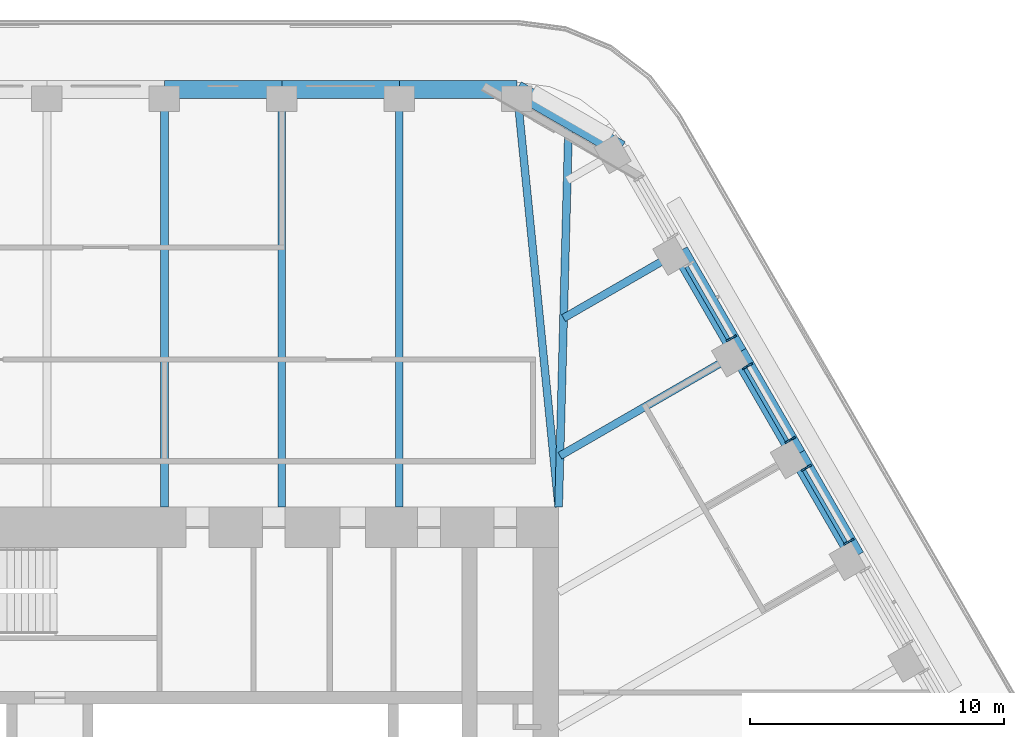
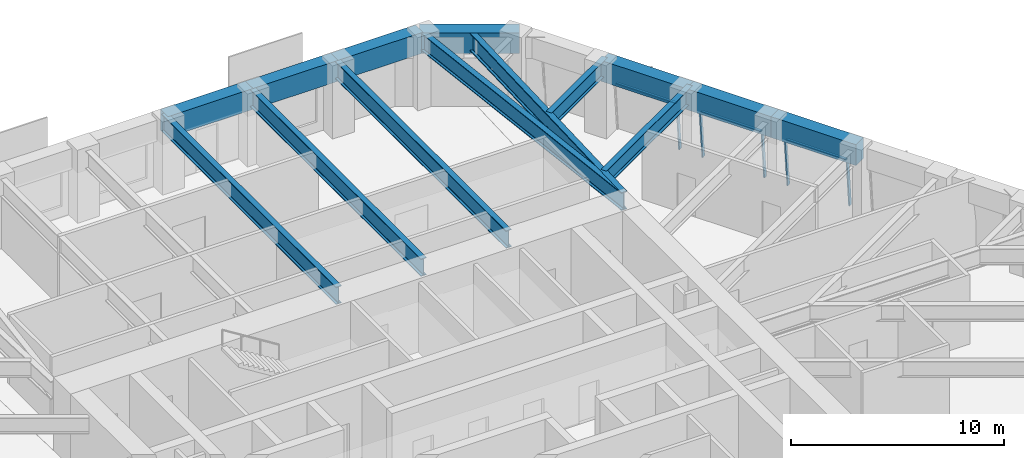
# One storey, part 11 of 20: 14 beams, 8 members, 3 elements without a shape of their own.
"""IFC4 building model written with IfcOpenShell, lengths in metres."""

from ifc_helpers import new_model, si_unit, direction, frame, origin, origin_2d, place, context, subcontext, project, spatial, rectangle, i_section, extrude, material, material_profile, profile_set, type_object, element, aggregate, save


model = new_model("IFC4")

# Units and contexts
model_context = context("Model", 3, precision=1e-05, world=origin(), true_north=direction((0.0, 1.0)))
body_context = subcontext(model_context, "Body", "Model", "MODEL_VIEW")
ifc_project = project(units=[si_unit("LENGTHUNIT", "METRE"), si_unit("AREAUNIT", "SQUARE_METRE"), si_unit("VOLUMEUNIT", "CUBIC_METRE"), si_unit("PLANEANGLEUNIT", "RADIAN"), si_unit("MASSUNIT", "GRAM", prefix="KILO")], contexts=[model_context])

# Site, building, storey
site_placement = place(None, origin())
site = spatial("IfcSite", under=ifc_project, at=site_placement, CompositionType="ELEMENT")
building_placement = place(site_placement, origin())
building = spatial("IfcBuilding", under=site, at=building_placement, Name="Tarfa Lantern Tower", CompositionType="ELEMENT")
storey_placement = place(building_placement, frame((0.0, 0.0, 274.300048828125)))
storey = spatial("IfcBuildingStorey", under=building, at=storey_placement, Name="L62", CompositionType="ELEMENT", Elevation=274.300048828125)

# Curtain wall, members
ifc_material_1 = material(Name="Aluminium framed curtain wall", Category="aluminium")
curtain_wall_type = type_object("IfcCurtainWallType", Name="CW3 CANTED GLAZING HIGH ZONE 2800", PredefinedType="USERDEFINED", material=ifc_material_1)
curtain_wall_1_placement = place(storey_placement, origin())
curtain_wall_1 = element("IfcCurtainWall", 1, at=curtain_wall_1_placement, inside=storey, type_object=curtain_wall_type, Name="CW3 NE L62", ObjectType="CURTAIN WALL", PredefinedType="USERDEFINED")
ifc_material_2 = material(Name="Aluminium mullion", Category="aluminium")
ifc_material_profile_1 = material_profile(ifc_material_2, rectangle(XDim=0.06494140625, YDim=0.199951171875, at=origin_2d()), Name="AL MULLION 65x200")
ifc_profile_set_1 = profile_set([ifc_material_profile_1], Name="Aluminium mullion")
member_type_1 = type_object("IfcMemberType", Name="CWM1 MULLION 65x200", PredefinedType="MULLION", material=ifc_profile_set_1)
member_1_placement = place(storey_placement, frame((27.021240234375, 10.997802734375, 0.0), z_axis=(-0.077032386753, -0.044465143199, 0.996036576854), x_axis=(0.499919672301, -0.866071776036, 0.0)))
member_1 = element("IfcMember", 2, at=member_1_placement, type_object=member_type_1, Name="CW3 mullion 1", PredefinedType="MULLION", context=body_context, shape_type="SweptSolid", body=[
    extrude(rectangle(XDim=0.06494140625, YDim=0.199951171875, at=origin_2d()), origin(), (0.0, 0.0, 1.0), 2.811279296875),
])
member_2_placement = place(storey_placement, frame((25.344482421875, 13.90234375, 0.0), z_axis=(-0.077032386753, -0.044465143199, 0.996036576854), x_axis=(0.499919672301, -0.866071776036, 0.0)))
member_2 = element("IfcMember", 3, at=member_2_placement, type_object=member_type_1, Name="CW3 mullion 2", PredefinedType="MULLION", context=body_context, shape_type="SweptSolid", body=[
    extrude(rectangle(XDim=0.06494140625, YDim=0.199951171875, at=origin_2d()), origin(), (0.0, 0.0, 1.0), 2.811279296875),
])

curtain_wall_2_placement = place(storey_placement, origin())
curtain_wall_2 = element("IfcCurtainWall", 4, at=curtain_wall_2_placement, inside=storey, type_object=curtain_wall_type, Name="CW3 NE L62", ObjectType="CURTAIN WALL", PredefinedType="USERDEFINED")
member_3_placement = place(storey_placement, frame((24.7119140625, 14.997802734375, 0.0), z_axis=(-0.077032386753, -0.044465143199, 0.996036576854), x_axis=(0.499919672301, -0.866071776036, 0.0)))
member_3 = element("IfcMember", 5, at=member_3_placement, type_object=member_type_1, Name="CW3 mullion 1", PredefinedType="MULLION", context=body_context, shape_type="SweptSolid", body=[
    extrude(rectangle(XDim=0.06494140625, YDim=0.199951171875, at=origin_2d()), origin(), (0.0, 0.0, 1.0), 2.811279296875),
])
member_4_placement = place(storey_placement, frame((23.034912109375, 17.90234375, 0.0), z_axis=(-0.077032386753, -0.044465143199, 0.996036576854), x_axis=(0.499919672301, -0.866071776036, 0.0)))
member_4 = element("IfcMember", 6, at=member_4_placement, type_object=member_type_1, Name="CW3 mullion 2", PredefinedType="MULLION", context=body_context, shape_type="SweptSolid", body=[
    extrude(rectangle(XDim=0.06494140625, YDim=0.199951171875, at=origin_2d()), origin(), (0.0, 0.0, 1.0), 2.811279296875),
])

# Curtain wall, member
curtain_wall_3_placement = place(storey_placement, origin())
curtain_wall_3 = element("IfcCurtainWall", 7, at=curtain_wall_3_placement, inside=storey, type_object=curtain_wall_type, Name="CW3 NE L62", ObjectType="CURTAIN WALL", PredefinedType="USERDEFINED")
member_5_placement = place(storey_placement, frame((22.402587890625, 18.997802734375, 0.0), z_axis=(-0.077032386753, -0.044465143199, 0.996036576854), x_axis=(0.499919672301, -0.866071776036, 0.0)))
member_5 = element("IfcMember", 8, at=member_5_placement, type_object=member_type_1, Name="CW3 mullion 1", PredefinedType="MULLION", context=body_context, shape_type="SweptSolid", body=[
    extrude(rectangle(XDim=0.06494140625, YDim=0.199951171875, at=origin_2d()), origin(), (0.0, 0.0, 1.0), 2.811279296875),
])

# Member
ifc_material_3 = material(Name="Aluminium transom", Category="aluminium")
ifc_material_profile_2 = material_profile(ifc_material_3, rectangle(XDim=0.14990234375, YDim=0.06494140625, at=origin_2d()), Name="AL TRANSOM 150x65")
ifc_profile_set_2 = profile_set([ifc_material_profile_2], Name="Aluminium transom")
member_type_2 = type_object("IfcMemberType", Name="CWT1 TRANSOM 150x65", PredefinedType="USERDEFINED", material=ifc_profile_set_2)
member_6_placement = place(storey_placement, frame((26.791015625, 10.90234375, 2.767333984375), z_axis=(-0.499979497339, 0.866037240677, 0.0), x_axis=(-0.866037240677, -0.499979497339, 0.0)))
member_6 = element("IfcMember", 9, at=member_6_placement, type_object=member_type_2, Name="CW3 transom 1.2", ObjectType="TRANSOM", PredefinedType="USERDEFINED", context=body_context, shape_type="SweptSolid", body=[
    extrude(rectangle(XDim=0.14990234375, YDim=0.06494140625, at=origin_2d()), origin(), (0.0, 0.0, 1.0), 3.288818359375),
])

aggregate(curtain_wall_1, [member_1, member_2, member_6])

member_7_placement = place(storey_placement, frame((24.481689453125, 14.90234375, 2.767333984375), z_axis=(-0.500035172766, 0.866005095826, 0.0), x_axis=(-0.866005095826, -0.500035172766, 0.0)))
member_7 = element("IfcMember", 10, at=member_7_placement, type_object=member_type_2, Name="CW3 transom 1.2", ObjectType="TRANSOM", PredefinedType="USERDEFINED", context=body_context, shape_type="SweptSolid", body=[
    extrude(rectangle(XDim=0.14990234375, YDim=0.06494140625, at=origin_2d()), origin(), (0.0, 0.0, 1.0), 3.288818359375),
])

aggregate(curtain_wall_2, [member_3, member_4, member_7])

member_8_placement = place(storey_placement, frame((22.172119140625, 18.90234375, 2.767333984375), z_axis=(-0.499979497339, 0.866037240677, 0.0), x_axis=(-0.866037240677, -0.499979497339, 0.0)))
member_8 = element("IfcMember", 11, at=member_8_placement, type_object=member_type_2, Name="CW3 transom 1.2", ObjectType="TRANSOM", PredefinedType="USERDEFINED", context=body_context, shape_type="SweptSolid", body=[
    extrude(rectangle(XDim=0.14990234375, YDim=0.06494140625, at=origin_2d()), origin(), (0.0, 0.0, 1.0), 3.288818359375),
])

aggregate(curtain_wall_3, [member_5, member_8])

# Beams
ifc_material_4 = material(Name="Concrete C80/95", Category="concrete")
ifc_material_profile_3 = material_profile(ifc_material_4, rectangle(XDim=0.699951171875, YDim=1.199951171875, at=origin_2d()), Name="RC 700x1200")
ifc_profile_set_3 = profile_set([ifc_material_profile_3], Name="Concrete C80/95")
beam_type_1 = type_object("IfcBeamType", Name="EB3 RC 700x1200", PredefinedType="SPANDREL", material=ifc_profile_set_3)
beam_1_placement = place(storey_placement, frame((27.181640625, 10.360107421875, 3.39990234375), z_axis=(-0.499987836815, 0.866032426089, 0.0), x_axis=(-0.866032426089, -0.499987836815, 0.0)))
element("IfcBeam", 12, at=beam_1_placement, inside=storey, type_object=beam_type_1, Name="Edge beam NE2", PredefinedType="SPANDREL", context=body_context, shape_type="SweptSolid", body=[
    extrude(rectangle(XDim=0.699951171875, YDim=1.199951171875, at=origin_2d()), origin(), (0.0, 0.0, 1.0), 4.61865234375),
])
beam_2_placement = place(storey_placement, frame((24.872314453125, 14.360107421875, 3.39990234375), z_axis=(-0.500027479704, 0.866009537788, 0.0), x_axis=(-0.866009537788, -0.500027479704, 0.0)))
element("IfcBeam", 13, at=beam_2_placement, inside=storey, type_object=beam_type_1, Name="Edge beam NE3", PredefinedType="SPANDREL", context=body_context, shape_type="SweptSolid", body=[
    extrude(rectangle(XDim=0.699951171875, YDim=1.199951171875, at=origin_2d()), origin(), (0.0, 0.0, 1.0), 4.618896484375),
])
beam_3_placement = place(storey_placement, frame((22.562744140625, 18.360107421875, 3.39990234375), z_axis=(-0.499987836815, 0.866032426089, 0.0), x_axis=(-0.866032426089, -0.499987836815, 0.0)))
element("IfcBeam", 14, at=beam_3_placement, inside=storey, type_object=beam_type_1, Name="Edge beam NE4", PredefinedType="SPANDREL", context=body_context, shape_type="SweptSolid", body=[
    extrude(rectangle(XDim=0.699951171875, YDim=1.199951171875, at=origin_2d()), origin(), (0.0, 0.0, 1.0), 4.61865234375),
])
beam_4_placement = place(storey_placement, frame((17.944091796875, 26.360107421875, 3.39990234375), z_axis=(-0.866038294681, 0.499977671647, 0.0), x_axis=(-0.499977671647, -0.866038294681, 0.0)))
element("IfcBeam", 15, at=beam_4_placement, inside=storey, type_object=beam_type_1, Name="Edge beam NE6", PredefinedType="SPANDREL", context=body_context, shape_type="SweptSolid", body=[
    extrude(rectangle(XDim=0.699951171875, YDim=1.199951171875, at=origin_2d()), origin(), (0.0, 0.0, 1.0), 4.719970703125),
])
beam_5_placement = place(storey_placement, frame((13.8564453125, 28.719970703125, 3.39990234375), z_axis=(-1.0, 0.0, 0.0), x_axis=(0.0, -1.0, 0.0)))
element("IfcBeam", 16, at=beam_5_placement, inside=storey, type_object=beam_type_1, Name="Edge beam N0", PredefinedType="SPANDREL", context=body_context, shape_type="SweptSolid", body=[
    extrude(rectangle(XDim=0.699951171875, YDim=1.199951171875, at=origin_2d()), origin(), (0.0, 0.0, 1.0), 4.618896484375),
])
beam_6_placement = place(storey_placement, frame((9.237548828125, 28.719970703125, 3.39990234375), z_axis=(-1.0, 0.0, 0.0), x_axis=(0.0, -1.0, 0.0)))
element("IfcBeam", 17, at=beam_6_placement, inside=storey, type_object=beam_type_1, Name="Edge beam N1", PredefinedType="SPANDREL", context=body_context, shape_type="SweptSolid", body=[
    extrude(rectangle(XDim=0.699951171875, YDim=1.199951171875, at=origin_2d()), origin(), (0.0, 0.0, 1.0), 4.61865234375),
])
beam_7_placement = place(storey_placement, frame((4.618896484375, 28.719970703125, 3.39990234375), z_axis=(-1.0, 0.0, 0.0), x_axis=(0.0, -1.0, 0.0)))
element("IfcBeam", 18, at=beam_7_placement, inside=storey, type_object=beam_type_1, Name="Edge beam N2", PredefinedType="SPANDREL", context=body_context, shape_type="SweptSolid", body=[
    extrude(rectangle(XDim=0.699951171875, YDim=1.199951171875, at=origin_2d()), origin(), (0.0, 0.0, 1.0), 4.618896484375),
])
ifc_material_5 = material(Name="Steel S460M", Category="steel")
ifc_material_profile_4 = material_profile(ifc_material_5, i_section(OverallWidth=0.302001953125, OverallDepth=1.008056640625, WebThickness=0.02099609375, FlangeThickness=0.0400390625, FilletRadius=0.030029296875, at=origin_2d()), Name="UB1016x305x349")
ifc_profile_set_4 = profile_set([ifc_material_profile_4], Name="Steel S460M")
beam_type_2 = type_object("IfcBeamType", Name="UB1016x305x349", PredefinedType="BEAM", material=ifc_profile_set_4)
beam_8_placement = place(storey_placement, frame((13.8564453125, 28.719970703125, 3.495849609375), z_axis=(0.099597466746, -0.995027810977, 0.0), x_axis=(0.995027810977, 0.099597466746, 0.0)))
element("IfcBeam", 19, at=beam_8_placement, inside=storey, type_object=beam_type_2, Name="Floor beam N0", PredefinedType="BEAM", context=body_context, shape_type="SweptSolid", body=[
    extrude(i_section(OverallWidth=0.302001953125, OverallDepth=1.008056640625, WebThickness=0.02099609375, FlangeThickness=0.0400390625, FilletRadius=0.030029296875, at=origin_2d()), origin(), (0.0, 0.0, 1.0), 16.501953125),
])
for number, where, z_axis, x_axis, name in (
    (20, (9.237548828125, 28.719970703125, 3.495849609375), (0.0, -1.0, 0.0), (1.0, 0.0, 0.0), "Floor beam N1"),
    (21, (4.618896484375, 28.719970703125, 3.495849609375), (0.0, -1.0, 0.0), (1.0, 0.0, 0.0), "Floor beam N2"),
    (22, (0.0, 28.719970703125, 3.495849609375), (0.0, -1.0, 0.0), (1.0, 0.0, 0.0), "Floor beam N3"),
):
    element("IfcBeam", number, at=place(storey_placement, frame(where, z_axis=z_axis, x_axis=x_axis)), inside=storey, type_object=beam_type_2, Name=name, PredefinedType="BEAM", context=body_context, shape_type="SweptSolid", body=[
        extrude(i_section(OverallWidth=0.302001953125, OverallDepth=1.008056640625, WebThickness=0.02099609375, FlangeThickness=0.0400390625, FilletRadius=0.030029296875, at=origin_2d()), origin(), (0.0, 0.0, 1.0), 16.419921875),
    ])
ifc_material_profile_5 = material_profile(ifc_material_5, i_section(OverallWidth=0.30859375, OverallDepth=1.036376953125, WebThickness=0.030029296875, FlangeThickness=0.05419921875, FilletRadius=0.030029296875, at=origin_2d()), Name="UB1016x305x487")
ifc_profile_set_5 = profile_set([ifc_material_profile_5], Name="Steel S460M")
beam_type_3 = type_object("IfcBeamType", Name="UB1016x305x487", PredefinedType="BEAM", material=ifc_profile_set_5)
beam_9_placement = place(storey_placement, frame((15.5, 12.300048828125, 3.481689453125), z_axis=(0.026247301989, 0.999655480222, 0.0), x_axis=(-0.999655480222, 0.026247301989, 0.0)))
element("IfcBeam", 23, at=beam_9_placement, inside=storey, type_object=beam_type_3, Name="Hip girder NE", PredefinedType="BEAM", context=body_context, shape_type="SweptSolid", body=[
    extrude(i_section(OverallWidth=0.30859375, OverallDepth=1.036376953125, WebThickness=0.030029296875, FlangeThickness=0.05419921875, FilletRadius=0.030029296875, at=origin_2d()), origin(), (0.0, 0.0, 1.0), 15.245361328125),
])
ifc_material_profile_6 = material_profile(ifc_material_5, i_section(OverallWidth=0.305419921875, OverallDepth=0.91845703125, WebThickness=0.017333984375, FlangeThickness=0.02783203125, FilletRadius=0.01904296875, at=origin_2d()), Name="UB914x305x253")
ifc_profile_set_6 = profile_set([ifc_material_profile_6], Name="Steel S460M")
beam_type_4 = type_object("IfcBeamType", Name="UB914x305x253", PredefinedType="BEAM", material=ifc_profile_set_6)
beam_10_placement = place(storey_placement, frame((22.562744140625, 18.360107421875, 3.540771484375), z_axis=(-0.866010787764, -0.500025314835, 0.0), x_axis=(0.500025314835, -0.866010787764, 0.0)))
element("IfcBeam", 24, at=beam_10_placement, inside=storey, type_object=beam_type_4, Name="Floor beam NE4", PredefinedType="BEAM", context=body_context, shape_type="SweptSolid", body=[
    extrude(i_section(OverallWidth=0.305419921875, OverallDepth=0.91845703125, WebThickness=0.017333984375, FlangeThickness=0.02783203125, FilletRadius=0.01904296875, at=origin_2d()), origin(), (0.0, 0.0, 1.0), 8.09423828125),
])
beam_11_placement = place(storey_placement, frame((20.25341796875, 22.360107421875, 3.540771484375), z_axis=(-0.86601951648, -0.500010196972, 0.0), x_axis=(0.500010196972, -0.86601951648, 0.0)))
element("IfcBeam", 25, at=beam_11_placement, inside=storey, type_object=beam_type_4, Name="Floor beam NE5", PredefinedType="BEAM", context=body_context, shape_type="SweptSolid", body=[
    extrude(i_section(OverallWidth=0.305419921875, OverallDepth=0.91845703125, WebThickness=0.017333984375, FlangeThickness=0.02783203125, FilletRadius=0.01904296875, at=origin_2d()), origin(), (0.0, 0.0, 1.0), 5.263671875),
])

save(model, "model.ifc")
